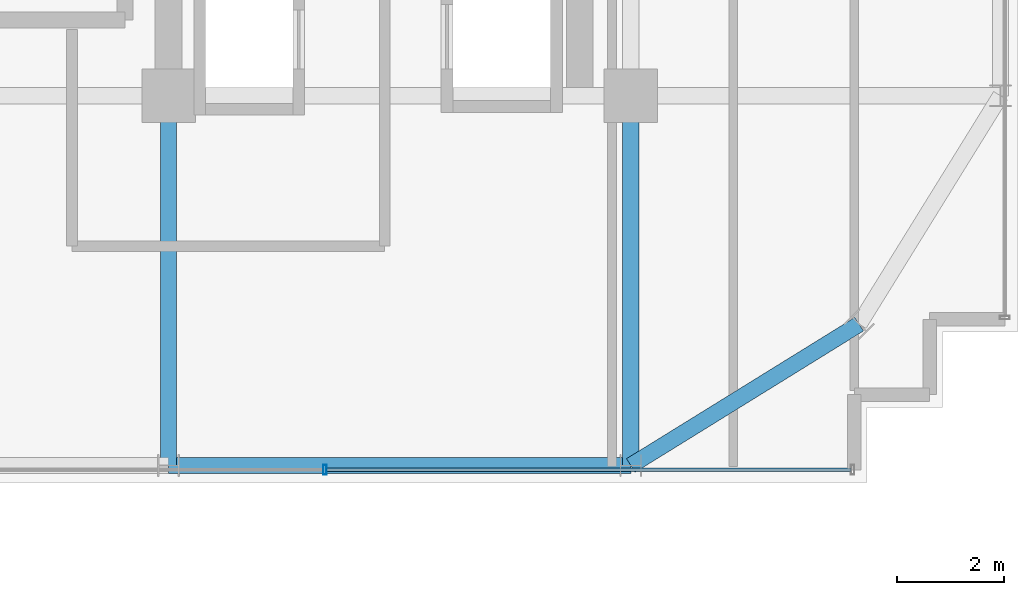
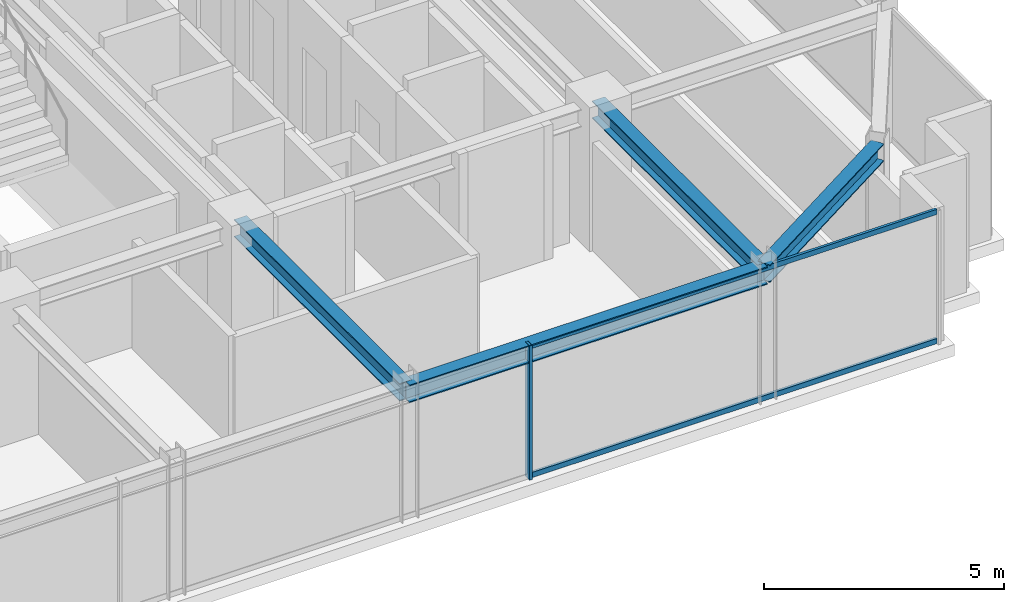
# One storey, part 12 of 35: 4 beams, 3 members, 1 element without a shape of its own.
"""IFC4 building model written with IfcOpenShell, lengths in metres."""

import ifcopenshell
import ifcopenshell.guid

model = None  # the IFC model being written
_history = None  # IfcOwnerHistory: only IFC2X3 demands one
_inside = {}  # id of a spatial element -> (the spatial element, [elements in it])
_under = {}  # id of a project, library or spatial element -> (it, [spatial elements below it])
_declared = {}  # id of a project -> (the project, [libraries it declares])
_typed = {}  # id of a type object -> (the type object, [elements of that type])
_made_of = {}  # id of a material, layer set ... -> (it, [elements and type objects made of it])


def new_model(schema):
    """Start an empty IFC model of exactly this schema.

    Asked for "IFC4X3", IfcOpenShell would pick the latest addendum, in which some entities
    have other attributes; the version numbers below select the first issue.
    IFC2X3 requires an IfcOwnerHistory on every rooted entity: one is made here for all.
    """
    global model, _history
    if schema == "IFC4X3":
        model = ifcopenshell.file(schema_version=(4, 3, 0, 0))
    else:
        model = ifcopenshell.file(schema=schema)
    _inside.clear()
    _under.clear()
    _declared.clear()
    _typed.clear()
    _made_of.clear()
    _history = None
    if model.schema == "IFC2X3":
        org = make("IfcOrganization", Name="unknown")
        user = make(
            "IfcPersonAndOrganization",
            ThePerson=make("IfcPerson", FamilyName="unknown"),
            TheOrganization=org,
        )
        app = make(
            "IfcApplication",
            ApplicationDeveloper=org,
            Version="unknown",
            ApplicationFullName="unknown",
            ApplicationIdentifier="unknown",
        )
        _history = make(
            "IfcOwnerHistory",
            OwningUser=user,
            OwningApplication=app,
            ChangeAction="ADDED",
            CreationDate=0,
        )
    return model


def make(cls, **values):
    """One entity of the class cls with the attributes given. An attribute that is None is left unset."""
    return model.create_entity(
        cls, **{name: value for name, value in values.items() if value is not None}
    )


def rooted(cls, **values):
    """An entity with a GlobalId (a new one), such as an element, a storey or a relation."""
    return make(cls, GlobalId=ifcopenshell.guid.new(), OwnerHistory=_history, **values)


def si_unit(unit_type, name, prefix=None):
    """IfcSIUnit, for example si_unit("LENGTHUNIT", "METRE", prefix="MILLI")."""
    return make("IfcSIUnit", UnitType=unit_type, Prefix=prefix, Name=name)


def assignment(units):
    """IfcUnitAssignment: the units of a project."""
    return None if units is None else make("IfcUnitAssignment", Units=units)


def point(xyz):
    """IfcCartesianPoint."""
    return None if xyz is None else make("IfcCartesianPoint", Coordinates=xyz)


def direction(xyz):
    """IfcDirection."""
    return None if xyz is None else make("IfcDirection", DirectionRatios=xyz)


def frame(location, z_axis=None, x_axis=None):
    """IfcAxis2Placement3D, a coordinate frame: its origin and axes. An axis left out is left unset."""
    return make(
        "IfcAxis2Placement3D",
        Location=point(location),
        Axis=direction(z_axis),
        RefDirection=direction(x_axis),
    )


def frame_2d(location, x_axis=None):
    """IfcAxis2Placement2D, a coordinate frame in the plane: its origin and x axis."""
    return make(
        "IfcAxis2Placement2D", Location=point(location), RefDirection=direction(x_axis)
    )


def origin():
    """The frame at (0, 0, 0) with its axes left unset."""
    return frame((0.0, 0.0, 0.0))


def origin_2d():
    """The frame at (0, 0) in the plane with its x axis left unset."""
    return frame_2d((0.0, 0.0))


def place(relative_to, where):
    """IfcLocalPlacement: puts the frame where relative to a parent placement (None: the world)."""
    return make(
        "IfcLocalPlacement", PlacementRelTo=relative_to, RelativePlacement=where
    )


def context(
    kind, dimensions, precision=None, world=None, true_north=None, identifier=None
):
    """IfcGeometricRepresentationContext, for example the 3D "Model" context."""
    return make(
        "IfcGeometricRepresentationContext",
        ContextIdentifier=identifier,
        ContextType=kind,
        CoordinateSpaceDimension=dimensions,
        Precision=precision,
        WorldCoordinateSystem=world,
        TrueNorth=true_north,
    )


def subcontext(parent, identifier, kind, view, scale=None):
    """IfcGeometricRepresentationSubContext, for example "Body" below "Model"."""
    return make(
        "IfcGeometricRepresentationSubContext",
        ContextIdentifier=identifier,
        ContextType=kind,
        ParentContext=parent,
        TargetScale=scale,
        TargetView=view,
    )


def project(units=None, contexts=None):
    """IfcProject with its units and contexts."""
    return rooted(
        "IfcProject",
        Name="project",
        RepresentationContexts=contexts,
        UnitsInContext=assignment(units),
    )


def spatial(cls, under=None, at=None, **own):
    """A site, building, storey or space (cls), placed at a placement, below another one or the project."""
    s = rooted(cls, ObjectPlacement=at, **own)
    if under is not None:
        _under.setdefault(under.id(), (under, []))[1].append(s)
    return s


def profile(cls, at=None, kind="AREA", **sizes):
    """A parametric profile (cls). Its sizes go by their IFC names, for example OverallWidth=200.0."""
    return make(cls, ProfileType=kind, Position=at, **sizes)


def hollow_rectangle(**sizes):
    """IfcRectangleHollowProfileDef."""
    return profile("IfcRectangleHollowProfileDef", **sizes)


def i_section(**sizes):
    """IfcIShapeProfileDef."""
    return profile("IfcIShapeProfileDef", **sizes)


def extrude(swept, where, along, depth):
    """IfcExtrudedAreaSolid: the profile swept, set in the frame where, extruded along a direction by depth."""
    return make(
        "IfcExtrudedAreaSolid",
        SweptArea=swept,
        Position=where,
        ExtrudedDirection=direction(along),
        Depth=depth,
    )


def shape(context_of_items, identifier, shape_type, items):
    """IfcShapeRepresentation: the items that make up one representation, for example the "Body"."""
    return make(
        "IfcShapeRepresentation",
        ContextOfItems=context_of_items,
        RepresentationIdentifier=identifier,
        RepresentationType=shape_type,
        Items=items,
    )


def source(mapping_origin, context_of_items, identifier, shape_type, items):
    """IfcRepresentationMap: a shape defined once, which mapped items show again and again."""
    return make(
        "IfcRepresentationMap",
        MappingOrigin=mapping_origin,
        MappedRepresentation=shape(context_of_items, identifier, shape_type, items),
    )


def transform(
    local_origin,
    x_axis=None,
    y_axis=None,
    z_axis=None,
    scale=None,
    scale2=None,
    scale3=None,
    uniform=True,
):
    """IfcCartesianTransformationOperator3D, or its non-uniform kind. x_axis, y_axis, z_axis: its Axis1, 2, 3."""
    if uniform:
        return make(
            "IfcCartesianTransformationOperator3D",
            Axis1=direction(x_axis),
            Axis2=direction(y_axis),
            LocalOrigin=point(local_origin),
            Scale=scale,
            Axis3=direction(z_axis),
        )
    return make(
        "IfcCartesianTransformationOperator3DnonUniform",
        Axis1=direction(x_axis),
        Axis2=direction(y_axis),
        LocalOrigin=point(local_origin),
        Scale=scale,
        Axis3=direction(z_axis),
        Scale2=scale2,
        Scale3=scale3,
    )


def mapped(mapping_source, mapping_target):
    """IfcMappedItem: shows the shape of a source again, moved by a transform."""
    return make(
        "IfcMappedItem", MappingSource=mapping_source, MappingTarget=mapping_target
    )


def material(Name=None, Category=None):
    """IfcMaterial."""
    return make("IfcMaterial", Name=Name, Category=Category)


def material_profile(
    of_material, cross_section, Name=None, Category=None, Priority=None
):
    """IfcMaterialProfile: a cross section and its material."""
    return make(
        "IfcMaterialProfile",
        Name=Name,
        Material=of_material,
        Profile=cross_section,
        Priority=Priority,
        Category=Category,
    )


def profile_set(profiles, Name=None, composite=None):
    """IfcMaterialProfileSet."""
    return make(
        "IfcMaterialProfileSet",
        Name=Name,
        MaterialProfiles=profiles,
        CompositeProfile=composite,
    )


def made_of(thing, what):
    """Note that an element or type object is made of a material, layer set ...; save() writes the relation."""
    if what is not None:
        _made_of.setdefault(what.id(), (what, []))[1].append(thing)
    return thing


def type_object(cls, material=None, **own):
    """A type object (cls), such as IfcWallType, which elements share."""
    return made_of(rooted(cls, **own), material)


def element(
    cls,
    number,
    at=None,
    inside=None,
    cuts=None,
    type_object=None,
    material=None,
    context=None,
    identifier="Body",
    shape_type=None,
    held_by="IfcProductDefinitionShape",
    body=None,
    shapes=None,
    **own,
):
    """One element of the class cls, such as IfcWall. Its Tag is "e" and its number.

    at: its placement. inside: the storey or other place that contains it. cuts: it is an
    opening in that element (IfcRelVoidsElement). A single representation is given by context,
    identifier, shape_type and body (its items); several are given by shapes. held_by: the class
    of the entity that holds the representations. save() writes the other relations.
    """
    e = rooted(cls, Tag="e%d" % number, ObjectPlacement=at, **own)
    if body is not None:
        shapes = [shape(context, identifier, shape_type, body)]
    if shapes is not None:
        e.Representation = make(held_by, Representations=shapes)
    if inside is not None:
        _inside.setdefault(inside.id(), (inside, []))[1].append(e)
    if cuts is not None:
        rooted(
            "IfcRelVoidsElement", RelatingBuildingElement=cuts, RelatedOpeningElement=e
        )
    if type_object is not None:
        _typed.setdefault(type_object.id(), (type_object, []))[1].append(e)
    return made_of(e, material)


def aggregate(whole, parts):
    """IfcRelAggregates: a whole, such as a stair, and the parts it consists of."""
    return rooted("IfcRelAggregates", RelatingObject=whole, RelatedObjects=parts)


def save(model, path):
    """Write the relations noted so far, then the file.

    IfcRelAggregates (storeys below a building ...), IfcRelContainedInSpatialStructure (elements
    in a storey), IfcRelDefinesByType, IfcRelAssociatesMaterial and IfcRelDeclares: one each for
    every whole, place, type object, material and project.
    """
    for whole, parts in _under.values():
        aggregate(whole, parts)
    for where, things in _inside.values():
        rooted(
            "IfcRelContainedInSpatialStructure",
            RelatedElements=things,
            RelatingStructure=where,
        )
    for kind, things in _typed.values():
        rooted("IfcRelDefinesByType", RelatedObjects=things, RelatingType=kind)
    for what, things in _made_of.values():
        rooted("IfcRelAssociatesMaterial", RelatedObjects=things, RelatingMaterial=what)
    for by, libraries in _declared.values():
        rooted("IfcRelDeclares", RelatingContext=by, RelatedDefinitions=libraries)
    model.write(path)


model = new_model("IFC4")

# Units and contexts
model_context = context("Model", 3, precision=1e-05, world=origin(), true_north=direction((0.0, 1.0)))
body_context = subcontext(model_context, "Body", "Model", "MODEL_VIEW")
ifc_project = project(units=[si_unit("LENGTHUNIT", "METRE"), si_unit("AREAUNIT", "SQUARE_METRE"), si_unit("VOLUMEUNIT", "CUBIC_METRE"), si_unit("PLANEANGLEUNIT", "RADIAN"), si_unit("MASSUNIT", "GRAM", prefix="KILO")], contexts=[model_context])

# Site, building, storey
site_placement = place(None, origin())
site = spatial("IfcSite", under=ifc_project, at=site_placement, CompositionType="ELEMENT")
building_placement = place(site_placement, origin())
building = spatial("IfcBuilding", under=site, at=building_placement, Name="Nahalor Promenade Grand Hotel", CompositionType="ELEMENT")
storey_placement = place(building_placement, frame((0.0, 0.0, 216.0)))
storey = spatial("IfcBuildingStorey", under=building, at=storey_placement, Name="L55", CompositionType="ELEMENT", Elevation=216.0)

# Beams
ifc_material_1 = material(Name="Steel S355JR", Category="steel")
ifc_material_profile_1 = material_profile(ifc_material_1, i_section(OverallWidth=0.3, OverallDepth=0.45, WebThickness=0.014, FlangeThickness=0.026, at=origin_2d()), Name="HEB 450")
ifc_profile_set_1 = profile_set([ifc_material_profile_1], Name="Steel S355JR")
beam_type_1 = type_object("IfcBeamType", Name="Beam-Spandrel-HEB450", PredefinedType="SPANDREL", material=ifc_profile_set_1)
shared_shape_1 = source(origin(), body_context, "Body", "SweptSolid", [
    extrude(i_section(OverallWidth=0.3, OverallDepth=0.45, WebThickness=0.014, FlangeThickness=0.026, at=origin_2d()), origin(), (0.0, 0.0, 1.0), 8.60009765625),
])
beam_1_placement = place(storey_placement, frame((8.39990234375, -23.8798828125, 3.18505859375), z_axis=(1.0, 0.0, 0.0), x_axis=(0.0, 1.0, 0.0)))
element("IfcBeam", 1, at=beam_1_placement, inside=storey, type_object=beam_type_1, Name="BM-L55-SP-S-4", PredefinedType="SPANDREL", context=body_context, shape_type="MappedRepresentation", body=[
    mapped(shared_shape_1, transform((0.0, 0.0, 0.0), scale=1.0)),
])
shared_shape_2 = source(origin(), body_context, "Body", "SweptSolid", [
    extrude(i_section(OverallWidth=0.3, OverallDepth=0.45, WebThickness=0.014, FlangeThickness=0.026, at=origin_2d()), origin(), (0.0, 0.0, 1.0), 4.997802734375),
])
beam_2_placement = place(storey_placement, frame((17.0, -23.8798828125, 3.18505859375), z_axis=(0.850360908404, 0.526199891161, 0.0), x_axis=(-0.526199891161, 0.850360908404, 0.0)))
element("IfcBeam", 2, at=beam_2_placement, inside=storey, type_object=beam_type_1, Name="BM-L55-SPC-SE-1", PredefinedType="SPANDREL", context=body_context, shape_type="MappedRepresentation", body=[
    mapped(shared_shape_2, transform((0.0, 0.0, 0.0), scale=1.0)),
])
ifc_material_profile_2 = material_profile(ifc_material_1, i_section(OverallWidth=0.3, OverallDepth=0.45, WebThickness=0.014, FlangeThickness=0.026, at=origin_2d()), Name="HEB 450")
ifc_profile_set_2 = profile_set([ifc_material_profile_2], Name="Steel S355JR")
beam_type_2 = type_object("IfcBeamType", Name="Beam-Girder-HEB450", PredefinedType="BEAM", material=ifc_profile_set_2)
shared_shape_3 = source(origin(), body_context, "Body", "SweptSolid", [
    extrude(i_section(OverallWidth=0.3, OverallDepth=0.45, WebThickness=0.014, FlangeThickness=0.026, at=origin_2d()), origin(), (0.0, 0.0, 1.0), 6.8798828125),
])
for number, where, z_axis, x_axis, name in (
    (3, (8.39990234375, -23.8798828125, 3.18505859375), (0.0, 1.0, 0.0), (-1.0, 0.0, 0.0), "BM-L55-GY-4-0"),
    (4, (17.0, -23.8798828125, 3.18505859375), (0.0, 1.0, 0.0), (-1.0, 0.0, 0.0), "BM-L55-GY-5-0"),
):
    element("IfcBeam", number, at=place(storey_placement, frame(where, z_axis=z_axis, x_axis=x_axis)), inside=storey, type_object=beam_type_2, Name=name, PredefinedType="BEAM", context=body_context, shape_type="MappedRepresentation", body=[
        mapped(shared_shape_3, transform((0.0, 0.0, 0.0), scale=1.0)),
    ])

# Curtain wall, members
ifc_material_2 = material(Name="Anodised Bronze Aluminium EN AW-6063 T6", Category="aluminium")
curtain_wall_type = type_object("IfcCurtainWallType", Name="CW2 Typical Hotel Flush Bronze Unitised Curtain Wall", PredefinedType="USERDEFINED", material=ifc_material_2)
curtain_wall_placement = place(storey_placement, origin())
curtain_wall = element("IfcCurtainWall", 5, at=curtain_wall_placement, inside=storey, type_object=curtain_wall_type, Name="L55 Curtain Wall CW-L55-S-3", ObjectType="UNITISED_CURTAIN_WALL", PredefinedType="USERDEFINED")
ifc_material_profile_3 = material_profile(ifc_material_2, hollow_rectangle(XDim=0.065, YDim=0.13, WallThickness=0.004, at=origin_2d()), Name="CWT 65x130x4")
ifc_profile_set_3 = profile_set([ifc_material_profile_3], Name="Anodised Bronze Aluminium EN AW-6063 T6")
member_type_1 = type_object("IfcMemberType", Name="CWT2 Typical Bronze Transom 65x130", PredefinedType="USERDEFINED", material=ifc_profile_set_3)
shared_shape_4 = source(origin(), body_context, "Body", "SweptSolid", [
    extrude(hollow_rectangle(XDim=0.065, YDim=0.13, WallThickness=0.004, at=origin_2d()), origin(), (0.0, 0.0, 1.0), 9.755859375),
])
member_1_placement = place(storey_placement, frame((11.339111328125, -23.9599609375, 0.06494140625), z_axis=(1.0, 0.0, 0.0), x_axis=(0.0, 1.0, 0.0)))
member_1 = element("IfcMember", 6, at=member_1_placement, type_object=member_type_1, Name="CW-L55-S-3 Transom 2-0", ObjectType="TRANSOM", PredefinedType="USERDEFINED", context=body_context, shape_type="MappedRepresentation", body=[
    mapped(shared_shape_4, transform((0.0, 0.0, 0.0), scale=1.0)),
])
member_2_placement = place(storey_placement, frame((11.339111328125, -23.9599609375, 3.344970703125), z_axis=(1.0, 0.0, 0.0), x_axis=(0.0, 1.0, 0.0)))
member_2 = element("IfcMember", 7, at=member_2_placement, type_object=member_type_1, Name="CW-L55-S-3 Transom 2-1", ObjectType="TRANSOM", PredefinedType="USERDEFINED", context=body_context, shape_type="MappedRepresentation", body=[
    mapped(shared_shape_4, transform((0.0, 0.0, 0.0), scale=1.0)),
])
ifc_material_profile_4 = material_profile(ifc_material_2, hollow_rectangle(XDim=0.065, YDim=0.18, WallThickness=0.004, at=origin_2d()), Name="CWM 65x180x4")
ifc_profile_set_4 = profile_set([ifc_material_profile_4], Name="Anodised Bronze Aluminium EN AW-6063 T6")
member_type_2 = type_object("IfcMemberType", Name="CWM2 Typical Bronze Mullion 65x180", PredefinedType="MULLION", material=ifc_profile_set_4)
shared_shape_5 = source(origin(), body_context, "Body", "SweptSolid", [
    extrude(hollow_rectangle(XDim=0.065, YDim=0.18, WallThickness=0.004, at=origin_2d()), origin(), (0.0, 0.0, 1.0), 3.409912109375),
])
member_3_placement = place(storey_placement, frame((11.306640625, -23.9599609375, 0.0), z_axis=(0.0, 0.0, 1.0), x_axis=(1.0, 0.0, 0.0)))
member_3 = element("IfcMember", 8, at=member_3_placement, type_object=member_type_2, Name="CW-L55-S-3 Mullion 2", PredefinedType="MULLION", context=body_context, shape_type="MappedRepresentation", body=[
    mapped(shared_shape_5, transform((0.0, 0.0, 0.0), scale=1.0)),
])
aggregate(curtain_wall, [member_3, member_1, member_2])

save(model, "model.ifc")
